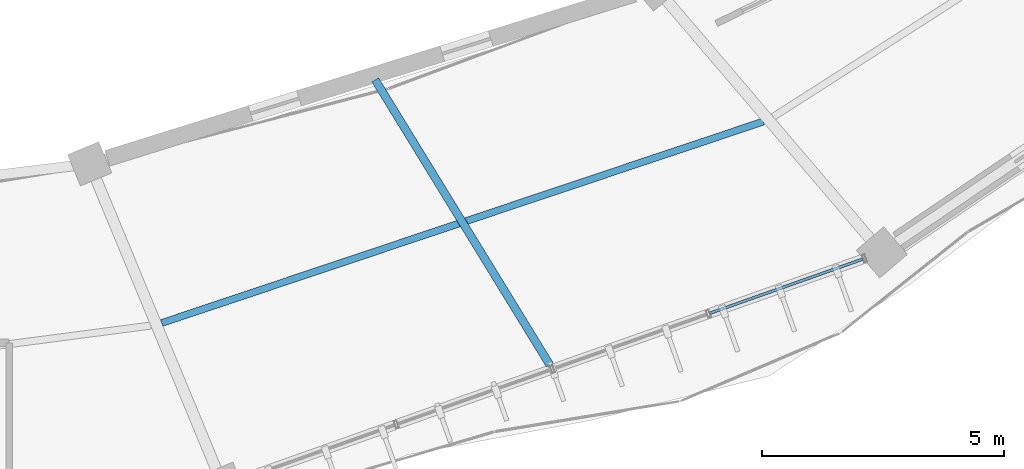
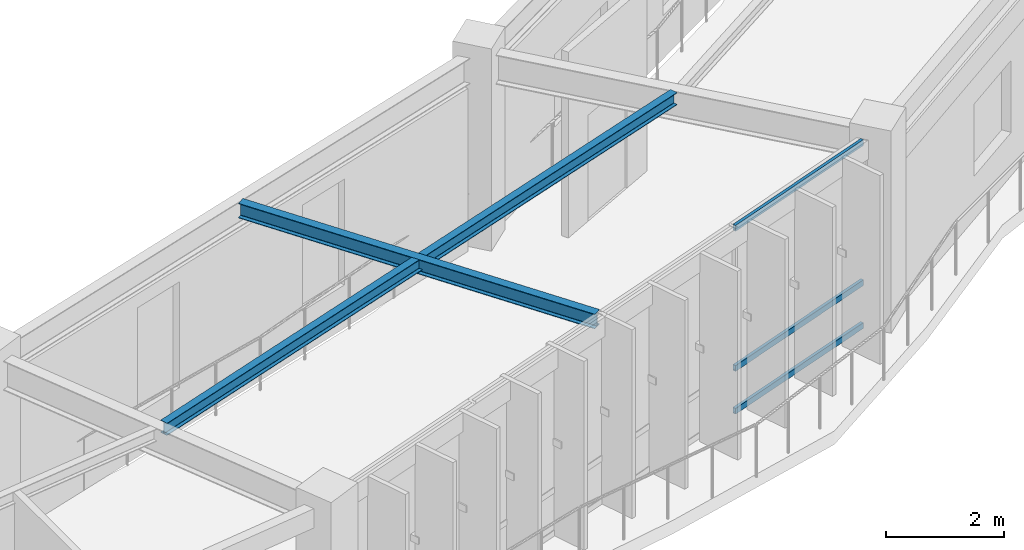
# One storey, part 65 of 152: 3 members, 2 beams, 1 element without a shape of its own.
"""IFC4 building model written with IfcOpenShell, lengths in metres."""

from ifc_helpers import new_model, si_unit, direction, frame, origin, origin_2d, place, context, subcontext, project, spatial, hollow_rectangle, i_section, extrude, material, material_profile, profile_set, type_object, element, aggregate, save


model = new_model("IFC4")

# Units and contexts
model_context = context("Model", 3, precision=1e-05, world=origin(), true_north=direction((0.0, 1.0)))
body_context = subcontext(model_context, "Body", "Model", "MODEL_VIEW")
ifc_project = project(units=[si_unit("LENGTHUNIT", "METRE"), si_unit("AREAUNIT", "SQUARE_METRE"), si_unit("VOLUMEUNIT", "CUBIC_METRE"), si_unit("PLANEANGLEUNIT", "RADIAN"), si_unit("MASSUNIT", "GRAM", prefix="KILO"), si_unit("THERMODYNAMICTEMPERATUREUNIT", "KELVIN"), si_unit("POWERUNIT", "WATT")], contexts=[model_context])

# Site, building, storey
site_placement = place(None, origin())
site = spatial("IfcSite", under=ifc_project, at=site_placement, CompositionType="ELEMENT")
building_placement = place(site_placement, origin())
building = spatial("IfcBuilding", under=site, at=building_placement, Name="Darbajah Civic Hall", CompositionType="ELEMENT")
storey_placement = place(building_placement, frame((0.0, 0.0, 5.39990234375)))
storey = spatial("IfcBuildingStorey", under=building, at=storey_placement, Name="L01", CompositionType="ELEMENT", Elevation=5.39990234375)

# Curtain wall, members
ifc_material_1 = material(Name="Anodised Bronze Aluminium and Low-E Glazing", Category="aluminium")
curtain_wall_type = type_object("IfcCurtainWallType", Name="Unitised Curtain Wall CW-33 13700x3900", PredefinedType="USERDEFINED", material=ifc_material_1)
curtain_wall_placement = place(storey_placement, origin())
curtain_wall = element("IfcCurtainWall", 1, at=curtain_wall_placement, inside=storey, type_object=curtain_wall_type, Name="L01 unitised curtain wall CW-V1O-L01-16", ObjectType="UNITISED CURTAIN WALL", PredefinedType="USERDEFINED")
ifc_material_2 = material(Name="Anodised Bronze Aluminium", Category="aluminium")
ifc_material_profile_1 = material_profile(ifc_material_2, hollow_rectangle(XDim=0.06005859375, YDim=0.1201171875, WallThickness=0.003173828125, at=origin_2d()), Name="ALU TRANSOM 60x120")
ifc_profile_set_1 = profile_set([ifc_material_profile_1], Name="Anodised Bronze Aluminium")
member_type = type_object("IfcMemberType", Name="ALU TRANSOM 60x120", PredefinedType="USERDEFINED", material=ifc_profile_set_1)
member_1_placement = place(storey_placement, frame((118.676025390625, 66.111083984375, 0.06005859375), z_axis=(0.94254549251, 0.334077827083, 0.0), x_axis=(-0.334077827083, 0.94254549251, 0.0)))
member_1 = element("IfcMember", 2, at=member_1_placement, type_object=member_type, Name="CW-V1O-L01-16 transom 4.1", ObjectType="TRANSOM", PredefinedType="USERDEFINED", context=body_context, shape_type="SweptSolid", body=[
    extrude(hollow_rectangle(XDim=0.06005859375, YDim=0.1201171875, WallThickness=0.003173828125, at=origin_2d()), origin(), (0.0, 0.0, 1.0), 3.349853515625),
])
member_2_placement = place(storey_placement, frame((118.676025390625, 66.111083984375, 0.9501953125), z_axis=(0.94254549251, 0.334077827083, 0.0), x_axis=(-0.334077827083, 0.94254549251, 0.0)))
member_2 = element("IfcMember", 3, at=member_2_placement, type_object=member_type, Name="CW-V1O-L01-16 transom 4.2", ObjectType="TRANSOM", PredefinedType="USERDEFINED", context=body_context, shape_type="SweptSolid", body=[
    extrude(hollow_rectangle(XDim=0.06005859375, YDim=0.1201171875, WallThickness=0.003173828125, at=origin_2d()), origin(), (0.0, 0.0, 1.0), 3.349853515625),
])
member_3_placement = place(storey_placement, frame((118.676025390625, 66.111083984375, 3.860107421875), z_axis=(0.94254549251, 0.334077827083, 0.0), x_axis=(-0.334077827083, 0.94254549251, 0.0)))
member_3 = element("IfcMember", 4, at=member_3_placement, type_object=member_type, Name="CW-V1O-L01-16 transom 4.3", ObjectType="TRANSOM", PredefinedType="USERDEFINED", context=body_context, shape_type="SweptSolid", body=[
    extrude(hollow_rectangle(XDim=0.06005859375, YDim=0.1201171875, WallThickness=0.003173828125, at=origin_2d()), origin(), (0.0, 0.0, 1.0), 3.349853515625),
])
aggregate(curtain_wall, [member_1, member_2, member_3])

# Beams
ifc_material_3 = material(Name="Steel S355JR", Category="steel")
ifc_material_profile_2 = material_profile(ifc_material_3, i_section(OverallWidth=0.146484375, OverallDepth=0.256103515625, WebThickness=0.00634765625, FlangeThickness=0.010986328125, FilletRadius=0.007568359375, at=origin_2d()), Name="UB 254x146x37")
ifc_profile_set_2 = profile_set([ifc_material_profile_2], Name="Steel S355JR")
beam_type_1 = type_object("IfcBeamType", Name="UB 254x146x37", PredefinedType="JOIST", material=ifc_profile_set_2)
beam_1_placement = place(storey_placement, frame((107.34912109375, 65.908447265625, 3.7919921875), z_axis=(0.948257615403, 0.317501960357, 0.0), x_axis=(-0.317501960357, 0.948257615403, 0.0)))
element("IfcBeam", 5, at=beam_1_placement, inside=storey, type_object=beam_type_1, Name="L01 beam SJ-254", PredefinedType="JOIST", context=body_context, shape_type="SweptSolid", body=[
    extrude(i_section(OverallWidth=0.146484375, OverallDepth=0.256103515625, WebThickness=0.00634765625, FlangeThickness=0.010986328125, FilletRadius=0.007568359375, at=origin_2d()), origin(), (0.0, 0.0, 1.0), 13.102783203125),
])
ifc_material_profile_3 = material_profile(ifc_material_3, i_section(OverallWidth=0.165771484375, OverallDepth=0.306640625, WebThickness=0.006591796875, FlangeThickness=0.01171875, FilletRadius=0.0087890625, at=origin_2d()), Name="UB 305x165x46")
ifc_profile_set_3 = profile_set([ifc_material_profile_3], Name="Steel S355JR")
beam_type_2 = type_object("IfcBeamType", Name="UB 305x165x46", PredefinedType="JOIST", material=ifc_profile_set_3)
beam_2_placement = place(storey_placement, frame((111.759033203125, 70.9296875, 3.766845703125), z_axis=(0.522523909848, -0.852624632319, 0.0), x_axis=(0.852624632319, 0.522523909848, 0.0)))
element("IfcBeam", 6, at=beam_2_placement, inside=storey, type_object=beam_type_2, Name="L01 beam SJ-305", PredefinedType="JOIST", context=body_context, shape_type="SweptSolid", body=[
    extrude(i_section(OverallWidth=0.165771484375, OverallDepth=0.306640625, WebThickness=0.006591796875, FlangeThickness=0.01171875, FilletRadius=0.0087890625, at=origin_2d()), origin(), (0.0, 0.0, 1.0), 6.9033203125),
])

save(model, "model.ifc")
